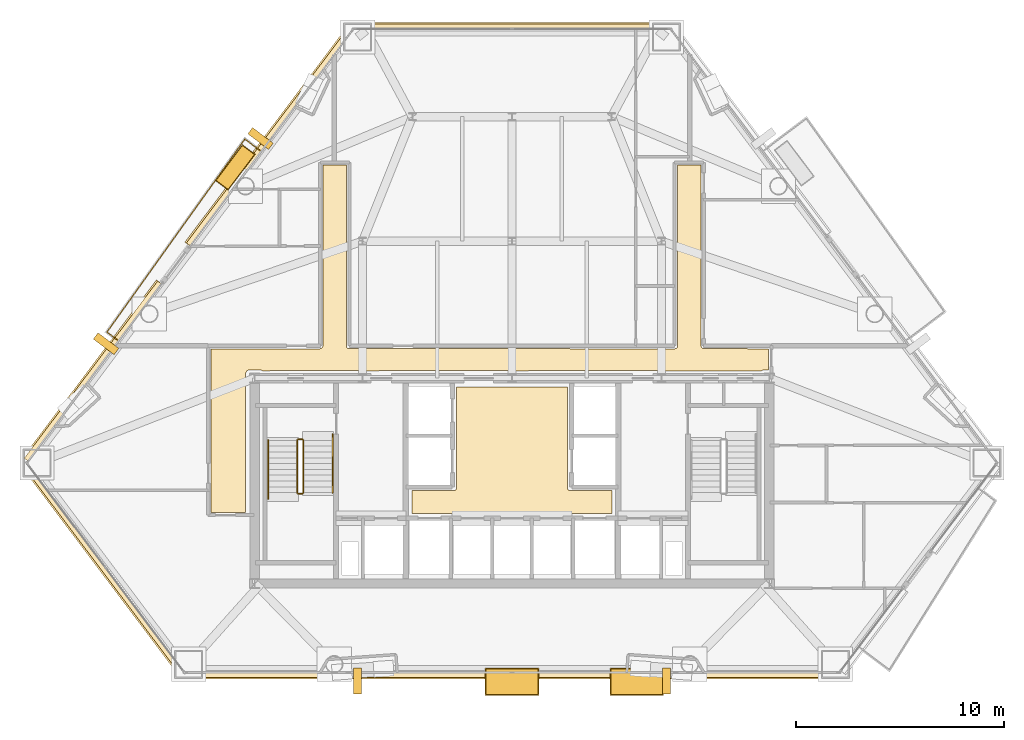
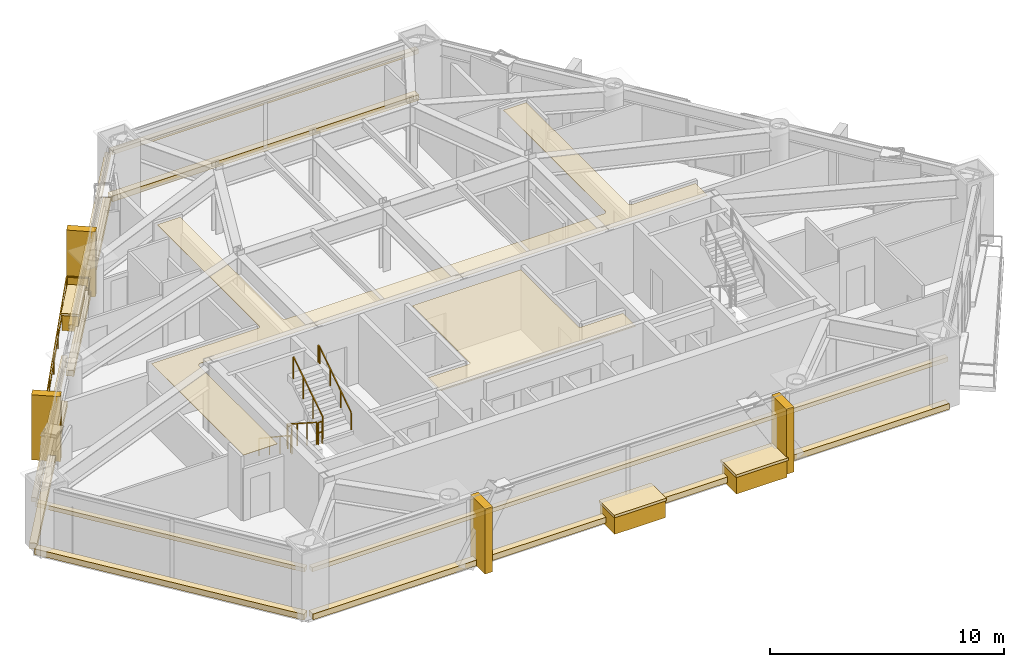
# One storey, part 9 of 10: 22 coverings, 7 railings.
"""IFC4 building model written with IfcOpenShell, lengths in metres."""

from ifc_helpers import new_model, si_unit, direction, frame, origin, origin_2d, place, context, subcontext, project, spatial, polyline, rectangle, outline, extrude, material, layer, layer_set, type_object, element, save


model = new_model("IFC4")

# Units and contexts
model_context = context("Model", 3, precision=1e-05, world=origin(), true_north=direction((0.0, 1.0)))
body_context = subcontext(model_context, "Body", "Model", "MODEL_VIEW")
ifc_project = project(units=[si_unit("LENGTHUNIT", "METRE"), si_unit("AREAUNIT", "SQUARE_METRE"), si_unit("VOLUMEUNIT", "CUBIC_METRE"), si_unit("PLANEANGLEUNIT", "RADIAN"), si_unit("MASSUNIT", "GRAM", prefix="KILO")], contexts=[model_context])

# Site, building, storey
site_placement = place(None, origin())
site = spatial("IfcSite", under=ifc_project, at=site_placement, CompositionType="ELEMENT")
building_placement = place(site_placement, origin())
building = spatial("IfcBuilding", under=site, at=building_placement, Name="Talgorran Terracotta Tower", CompositionType="ELEMENT")
storey_placement = place(building_placement, frame((0.0, 0.0, 64.800048828125)))
storey = spatial("IfcBuildingStorey", under=building, at=storey_placement, Name="L16", CompositionType="ELEMENT", Elevation=64.800048828125)

# Coverings
ifc_material_1 = material(Name="Kiln-Fired Terracotta Ochre Ceramic", Category="masonry")
ifc_layer_1 = layer(ifc_material_1, 0.179931640625, Name="COV_BAGUETTE_TERRACOTTA_SCREEN")
ifc_layer_set_1 = layer_set([ifc_layer_1], Name="Kiln-Fired Terracotta Ochre Ceramic")
covering_type_1 = type_object("IfcCoveringType", Name="COV_BAGUETTE_TERRACOTTA_SCREEN", PredefinedType="CLADDING", material=ifc_layer_set_1)
covering_1_placement = place(storey_placement, frame((-19.662353515625, -13.39892578125, 2.41015625), z_axis=(0.0, 0.0, 1.0), x_axis=(0.601438608227, -0.79891902001, 0.0)))
element("IfcCovering", 1, at=covering_1_placement, inside=storey, type_object=covering_type_1, Name="L16 Terracotta Baguette Solar Screen Assembly F0", PredefinedType="CLADDING", context=body_context, shape_type="SweptSolid", body=[
    extrude(rectangle(XDim=12.5078125, YDim=0.260009765625, at=origin_2d()), origin(), (0.0, 0.0, 1.0), 0.219970703125),
])
covering_2_placement = place(storey_placement, frame((0.0, -18.4912109375, 2.41015625), z_axis=(0.0, 0.0, 1.0), x_axis=(1.0, 0.0, 0.0)))
element("IfcCovering", 2, at=covering_2_placement, inside=storey, type_object=covering_type_1, Name="L16 Terracotta Baguette Solar Screen Assembly F1", PredefinedType="CLADDING", context=body_context, shape_type="SweptSolid", body=[
    extrude(rectangle(XDim=31.418212890625, YDim=0.260009765625, at=origin_2d()), origin(), (0.0, 0.0, 1.0), 0.219970703125),
])
covering_3_placement = place(storey_placement, frame((0.0, 12.7333984375, 2.41015625), z_axis=(0.0, 0.0, 1.0), x_axis=(-1.0, 0.0, 0.0)))
element("IfcCovering", 3, at=covering_3_placement, inside=storey, type_object=covering_type_1, Name="L16 Terracotta Baguette Solar Screen Assembly F4", PredefinedType="CLADDING", context=body_context, shape_type="SweptSolid", body=[
    extrude(rectangle(XDim=15.134521484375, YDim=0.260009765625, at=origin_2d()), origin(), (0.0, 0.0, 1.0), 0.219970703125),
])
covering_4_placement = place(storey_placement, frame((-11.68701171875, 7.419921875, 2.41015625), z_axis=(0.0, 0.0, 1.0), x_axis=(-0.601438608227, -0.79891902001, 0.0)))
element("IfcCovering", 4, at=covering_4_placement, inside=storey, type_object=covering_type_1, Name="L16 Terracotta Baguette Solar Screen Assembly F60", PredefinedType="CLADDING", context=body_context, shape_type="SweptSolid", body=[
    extrude(rectangle(XDim=12.9814453125, YDim=0.260009765625, at=origin_2d()), origin(), (0.0, 0.0, 1.0), 0.219970703125),
])
covering_5_placement = place(storey_placement, frame((-20.18701171875, -3.870849609375, 2.41015625), z_axis=(0.0, 0.0, 1.0), x_axis=(-0.601438608227, -0.79891902001, 0.0)))
element("IfcCovering", 5, at=covering_5_placement, inside=storey, type_object=covering_type_1, Name="L16 Terracotta Baguette Solar Screen Assembly F61", PredefinedType="CLADDING", context=body_context, shape_type="SweptSolid", body=[
    extrude(rectangle(XDim=10.68359375, YDim=0.260009765625, at=origin_2d()), origin(), (0.0, 0.0, 1.0), 0.219970703125),
])
ifc_material_2 = material(Name="Mineral Fibre Acoustic Tile")
ifc_layer_2 = layer(ifc_material_2, 0.02490234375, Name="COV_CEIL_ACOUSTIC")
ifc_layer_set_2 = layer_set([ifc_layer_2], Name="Mineral Fibre Acoustic Tile")
covering_type_2 = type_object("IfcCoveringType", Name="COV_CEIL_ACOUSTIC", PredefinedType="CEILING", material=ifc_layer_set_2)
covering_6_placement = place(storey_placement, frame((0.0, 0.0, 3.260009765625)))
element("IfcCovering", 6, at=covering_6_placement, inside=storey, type_object=covering_type_2, Name="CEIL-L16-2", PredefinedType="CEILING", context=body_context, shape_type="SweptSolid", body=[
    extrude(outline(polyline([(-12.78857421875, -3.87841796875), (-12.79541015625, -3.884521484375), (-12.803466796875, -3.893310546875), (-12.810302734375, -3.90283203125), (-12.81640625, -3.9130859375), (-12.820556640625, -3.920654296875), (-12.82568359375, -3.931396484375), (-12.82958984375, -3.9423828125), (-12.83251953125, -3.953857421875), (-12.833984375, -3.96533203125), (-12.834716796875, -3.97705078125), (-12.8349609375, -10.6650390625), (-14.514892578125, -10.6650390625), (-14.514892578125, -2.784912109375), (-9.25, -2.784912109375), (-9.23828125, -2.784423828125), (-9.226806640625, -2.78271484375), (-9.21533203125, -2.77978515625), (-9.20703125, -2.77734375), (-9.196044921875, -2.7734375), (-9.185302734375, -2.768310546875), (-9.17529296875, -2.762451171875), (-9.165771484375, -2.75537109375), (-9.156982421875, -2.74755859375), (-9.149169921875, -2.73876953125), (-9.1435546875, -2.73193359375), (-9.136474609375, -2.722412109375), (-9.13037109375, -2.71240234375), (-9.125244140625, -2.70166015625), (-9.121337890625, -2.690673828125), (-9.118408203125, -2.67919921875), (-9.11669921875, -2.66748046875), (-9.1162109375, -2.65576171875), (-9.114990234375, 6.06494140625), (-7.985107421875, 6.06494140625), (-7.985107421875, -2.64990234375), (-7.984375, -2.66162109375), (-7.982666015625, -2.67333984375), (-7.97998046875, -2.6845703125), (-7.977294921875, -2.69287109375), (-7.973388671875, -2.7041015625), (-7.968505859375, -2.714599609375), (-7.96240234375, -2.724853515625), (-7.955322265625, -2.734375), (-7.947509765625, -2.742919921875), (-7.938720703125, -2.7509765625), (-7.931884765625, -2.756591796875), (-7.922607421875, -2.763671875), (-7.912353515625, -2.769775390625), (-7.901611328125, -2.774658203125), (-7.890625, -2.77880859375), (-7.879150390625, -2.781494140625), (-7.867431640625, -2.783203125), (-7.855712890625, -2.783935546875), (7.85009765625, -2.784912109375), (7.86181640625, -2.784423828125), (7.873291015625, -2.78271484375), (7.884521484375, -2.77978515625), (7.892822265625, -2.77734375), (7.904052734375, -2.7734375), (7.914794921875, -2.768310546875), (7.9248046875, -2.762451171875), (7.934326171875, -2.75537109375), (7.943115234375, -2.74755859375), (7.950927734375, -2.73876953125), (7.95654296875, -2.73193359375), (7.963623046875, -2.722412109375), (7.9697265625, -2.71240234375), (7.974609375, -2.70166015625), (7.978759765625, -2.690673828125), (7.981689453125, -2.67919921875), (7.9833984375, -2.66748046875), (7.98388671875, -2.65576171875), (7.985107421875, 6.06494140625), (9.114990234375, 6.06494140625), (9.114990234375, -2.64990234375), (9.115478515625, -2.66162109375), (9.1171875, -2.67333984375), (9.1201171875, -2.6845703125), (9.12255859375, -2.69287109375), (9.12646484375, -2.7041015625), (9.131591796875, -2.714599609375), (9.1376953125, -2.724853515625), (9.14453125, -2.734375), (9.152587890625, -2.742919921875), (9.1611328125, -2.7509765625), (9.16796875, -2.756591796875), (9.177490234375, -2.763671875), (9.1875, -2.769775390625), (9.1982421875, -2.774658203125), (9.20947265625, -2.77880859375), (9.220703125, -2.781494140625), (9.232421875, -2.783203125), (9.244384765625, -2.783935546875), (12.364990234375, -2.784912109375), (12.364990234375, -3.80908203125), (12.1201171875, -3.80908203125), (12.108154296875, -3.8095703125), (12.0966796875, -3.811279296875), (12.085205078125, -3.814208984375), (12.07421875, -3.818115234375), (12.0634765625, -3.8232421875), (12.05322265625, -3.8291015625), (12.0439453125, -3.836181640625), (12.03515625, -3.843994140625), (12.034423828125, -3.844970703125), (7.432861328125, -3.844970703125), (6.968017578125, -3.843017578125), (6.967529296875, -3.843017578125), (0.232666015625, -3.844970703125), (-0.23193359375, -3.843017578125), (-0.232421875, -3.843017578125), (-6.96728515625, -3.844970703125), (-7.431884765625, -3.843017578125), (-7.4326171875, -3.843017578125), (-12.034423828125, -3.844970703125), (-12.03515625, -3.843994140625), (-12.0439453125, -3.836181640625), (-12.05322265625, -3.8291015625), (-12.0634765625, -3.8232421875), (-12.07421875, -3.818115234375), (-12.085205078125, -3.814208984375), (-12.0966796875, -3.811279296875), (-12.108154296875, -3.8095703125), (-12.1201171875, -3.80908203125), (-12.679931640625, -3.80908203125), (-12.69189453125, -3.8095703125), (-12.703369140625, -3.811279296875), (-12.71484375, -3.814208984375), (-12.725830078125, -3.818115234375), (-12.736572265625, -3.8232421875), (-12.74658203125, -3.8291015625), (-12.756103515625, -3.836181640625), (-12.764892578125, -3.843994140625), (-12.772705078125, -3.852783203125), (-12.77978515625, -3.8623046875), (-12.785888671875, -3.872314453125), (-12.78857421875, -3.87841796875)])), origin(), (0.0, 0.0, 1.0), 0.02001953125),
])
ifc_material_3 = material(Name="Flush Moisture-Resistant Plaster")
ifc_layer_3 = layer(ifc_material_3, 0.01806640625, Name="COV_CEIL_PLASTER")
ifc_layer_set_3 = layer_set([ifc_layer_3], Name="Flush Moisture-Resistant Plaster")
covering_type_3 = type_object("IfcCoveringType", Name="COV_CEIL_PLASTER", PredefinedType="CEILING", material=ifc_layer_set_3)
covering_7_placement = place(storey_placement, frame((0.0, 0.0, 3.260009765625)))
element("IfcCovering", 7, at=covering_7_placement, inside=storey, type_object=covering_type_3, Name="CEIL-L16-1", PredefinedType="CEILING", context=body_context, shape_type="SweptSolid", body=[
    extrude(outline(polyline([(-4.830078125, -9.6201171875), (-2.800048828125, -9.6201171875), (-2.7880859375, -9.619384765625), (-2.776611328125, -9.61767578125), (-2.76513671875, -9.61474609375), (-2.754150390625, -9.61083984375), (-2.743408203125, -9.605712890625), (-2.7333984375, -9.599853515625), (-2.723876953125, -9.5927734375), (-2.715087890625, -9.5849609375), (-2.707275390625, -9.576171875), (-2.7001953125, -9.566650390625), (-2.694091796875, -9.556640625), (-2.689208984375, -9.5458984375), (-2.685302734375, -9.534912109375), (-2.682373046875, -9.5234375), (-2.6806640625, -9.51171875), (-2.679931640625, -9.5), (-2.679931640625, -4.6201171875), (2.679931640625, -4.6201171875), (2.679931640625, -9.5), (2.6806640625, -9.51171875), (2.682373046875, -9.5234375), (2.685302734375, -9.534912109375), (2.689208984375, -9.5458984375), (2.694091796875, -9.556640625), (2.7001953125, -9.566650390625), (2.707275390625, -9.576171875), (2.715087890625, -9.5849609375), (2.723876953125, -9.5927734375), (2.7333984375, -9.599853515625), (2.743408203125, -9.605712890625), (2.754150390625, -9.61083984375), (2.76513671875, -9.61474609375), (2.776611328125, -9.61767578125), (2.7880859375, -9.619384765625), (2.800048828125, -9.6201171875), (4.830078125, -9.6201171875), (4.830078125, -10.72998046875), (-4.830078125, -10.72998046875), (-4.830078125, -9.6201171875)])), origin(), (0.0, 0.0, 1.0), 0.02001953125),
])
ifc_material_4 = material(Name="Honed Limestone and Terracotta Planter", Category="masonry")
ifc_layer_4 = layer(ifc_material_4, 0.1201171875, Name="COV_PLANTER_BOX")
ifc_layer_set_4 = layer_set([ifc_layer_4], Name="Honed Limestone and Terracotta Planter")
covering_type_4 = type_object("IfcCoveringType", Name="COV_PLANTER_BOX", PredefinedType="CLADDING", material=ifc_layer_set_4)
for number, where, z_axis, x_axis, name in (
    (8, (0.0, -18.8310546875, -0.179931640625), (0.0, 0.0, 1.0), (1.0, 0.0, 0.0), "L16 Staggered South Facade Planter Box 1"),
    (9, (6.018798828125, -18.8310546875, -0.179931640625), (0.0, 0.0, 1.0), (1.0, 0.0, 0.0), "L16 Staggered South Facade Planter Box 2"),
):
    element("IfcCovering", number, at=place(storey_placement, frame(where, z_axis=z_axis, x_axis=x_axis)), inside=storey, type_object=covering_type_4, Name=name, PredefinedType="CLADDING", context=body_context, shape_type="SweptSolid", body=[
        extrude(rectangle(XDim=2.5, YDim=1.25, at=origin_2d()), origin(), (0.0, 0.0, 1.0), 0.919921875),
    ])
covering_8_placement = place(storey_placement, frame((-13.335693359375, 5.953369140625, -0.02001953125), z_axis=(0.0, 0.0, 1.0), x_axis=(-0.601438608227, -0.79891902001, 0.0)))
element("IfcCovering", 10, at=covering_8_placement, inside=storey, type_object=covering_type_4, Name="L16 Staggered Balcony Planter Box BAL-NW", PredefinedType="CLADDING", context=body_context, shape_type="SweptSolid", body=[
    extrude(rectangle(XDim=2.10009765625, YDim=0.719970703125, at=origin_2d()), origin(), (0.0, 0.0, 1.0), 0.860107421875),
])
ifc_material_5 = material(Name="Kiln-Fired Terracotta Planter Rim", Category="masonry")
ifc_layer_5 = layer(ifc_material_5, 0.10009765625, Name="COV_PLANTER_RIM")
ifc_layer_set_5 = layer_set([ifc_layer_5], Name="Kiln-Fired Terracotta Planter Rim")
covering_type_5 = type_object("IfcCoveringType", Name="COV_PLANTER_RIM", PredefinedType="CLADDING", material=ifc_layer_set_5)
for number, where, z_axis, x_axis, name in (
    (11, (0.0, -18.8310546875, 0.7099609375), (0.0, 0.0, 1.0), (1.0, 0.0, 0.0), "L16 South Planter Terracotta Rim 1"),
    (12, (6.018798828125, -18.8310546875, 0.7099609375), (0.0, 0.0, 1.0), (1.0, 0.0, 0.0), "L16 South Planter Terracotta Rim 2"),
):
    element("IfcCovering", number, at=place(storey_placement, frame(where, z_axis=z_axis, x_axis=x_axis)), inside=storey, type_object=covering_type_5, Name=name, PredefinedType="CLADDING", context=body_context, shape_type="SweptSolid", body=[
        extrude(rectangle(XDim=2.580078125, YDim=1.320068359375, at=origin_2d()), origin(), (0.0, 0.0, 1.0), 0.139892578125),
    ])
covering_9_placement = place(storey_placement, frame((-13.335693359375, 5.953369140625, 0.7998046875), z_axis=(0.0, 0.0, 1.0), x_axis=(-0.601438608227, -0.79891902001, 0.0)))
element("IfcCovering", 13, at=covering_9_placement, inside=storey, type_object=covering_type_5, Name="L16 Balcony Planter Terracotta Rim BAL-NW", PredefinedType="CLADDING", context=body_context, shape_type="SweptSolid", body=[
    extrude(rectangle(XDim=2.179931640625, YDim=0.780029296875, at=origin_2d()), origin(), (0.0, 0.0, 1.0), 0.1201171875),
])
ifc_material_6 = material(Name="Honed Limestone Cladding", Category="masonry")
ifc_layer_6 = layer(ifc_material_6, 0.094970703125, Name="COV_PORTAL_LIME")
ifc_layer_set_6 = layer_set([ifc_layer_6], Name="Honed Limestone Cladding")
covering_type_6 = type_object("IfcCoveringType", Name="COV_PORTAL_LIME", PredefinedType="CLADDING", material=ifc_layer_set_6)
covering_10_placement = place(storey_placement, frame((-19.6943359375, -13.423095703125, -0.0400390625), z_axis=(0.0, 0.0, 1.0), x_axis=(0.601438608227, -0.79891902001, 0.0)))
element("IfcCovering", 14, at=covering_10_placement, inside=storey, type_object=covering_type_6, Name="L16 Striped Postmodern Portal Cladding Band F0", PredefinedType="CLADDING", context=body_context, shape_type="SweptSolid", body=[
    extrude(rectangle(XDim=12.52783203125, YDim=0.340087890625, at=origin_2d()), origin(), (0.0, 0.0, 1.0), 0.300048828125),
])
covering_11_placement = place(storey_placement, frame((0.0, -18.531005859375, -0.0400390625), z_axis=(0.0, 0.0, 1.0), x_axis=(1.0, 0.0, 0.0)))
element("IfcCovering", 15, at=covering_11_placement, inside=storey, type_object=covering_type_6, Name="L16 Striped Postmodern Portal Cladding Band F1", PredefinedType="CLADDING", context=body_context, shape_type="SweptSolid", body=[
    extrude(rectangle(XDim=31.438232421875, YDim=0.340087890625, at=origin_2d()), origin(), (0.0, 0.0, 1.0), 0.300048828125),
])
covering_12_placement = place(storey_placement, frame((0.0, 12.773193359375, -0.0400390625), z_axis=(0.0, 0.0, 1.0), x_axis=(-1.0, 0.0, 0.0)))
element("IfcCovering", 16, at=covering_12_placement, inside=storey, type_object=covering_type_6, Name="L16 Striped Postmodern Portal Cladding Band F4", PredefinedType="CLADDING", context=body_context, shape_type="SweptSolid", body=[
    extrude(rectangle(XDim=15.154296875, YDim=0.340087890625, at=origin_2d()), origin(), (0.0, 0.0, 1.0), 0.300048828125),
])
covering_13_placement = place(storey_placement, frame((-11.718994140625, 7.444091796875, -0.0400390625), z_axis=(0.0, 0.0, 1.0), x_axis=(-0.601438608227, -0.79891902001, 0.0)))
element("IfcCovering", 17, at=covering_13_placement, inside=storey, type_object=covering_type_6, Name="L16 Striped Postmodern Portal Cladding Band F60", PredefinedType="CLADDING", context=body_context, shape_type="SweptSolid", body=[
    extrude(rectangle(XDim=13.00146484375, YDim=0.340087890625, at=origin_2d()), origin(), (0.0, 0.0, 1.0), 0.300048828125),
])
covering_14_placement = place(storey_placement, frame((-20.21875, -3.8466796875, -0.0400390625), z_axis=(0.0, 0.0, 1.0), x_axis=(-0.601438608227, -0.79891902001, 0.0)))
element("IfcCovering", 18, at=covering_14_placement, inside=storey, type_object=covering_type_6, Name="L16 Striped Postmodern Portal Cladding Band F61", PredefinedType="CLADDING", context=body_context, shape_type="SweptSolid", body=[
    extrude(rectangle(XDim=10.70361328125, YDim=0.340087890625, at=origin_2d()), origin(), (0.0, 0.0, 1.0), 0.300048828125),
])
for number, where, z_axis, x_axis, name in (
    (19, (7.4443359375, -18.791015625, -0.050048828125), (0.0, 0.0, 1.0), (1.0, 0.0, 0.0), "L16 White Striped Portal Fin F1-2"),
    (20, (-19.5625, -2.54248046875, -0.050048828125), (0.0, 0.0, 1.0), (-0.601438608227, -0.79891902001, 0.0), "L16 White Striped Portal Fin F5-2"),
):
    element("IfcCovering", number, at=place(storey_placement, frame(where, z_axis=z_axis, x_axis=x_axis)), inside=storey, type_object=covering_type_6, Name=name, PredefinedType="CLADDING", context=body_context, shape_type="SweptSolid", body=[
        extrude(rectangle(XDim=0.3798828125, YDim=1.25, at=origin_2d()), origin(), (0.0, 0.0, 1.0), 3.39990234375),
    ])
ifc_material_7 = material(Name="Kiln-Fired Terracotta Cladding", Category="masonry")
ifc_layer_7 = layer(ifc_material_7, 0.090087890625, Name="COV_PORTAL_TERRA")
ifc_layer_set_7 = layer_set([ifc_layer_7], Name="Kiln-Fired Terracotta Cladding")
covering_type_7 = type_object("IfcCoveringType", Name="COV_PORTAL_TERRA", PredefinedType="CLADDING", material=ifc_layer_set_7)
for number, where, z_axis, x_axis, name in (
    (21, (-7.4443359375, -18.791015625, -0.050048828125), (0.0, 0.0, 1.0), (1.0, 0.0, 0.0), "L16 Terracotta Striped Portal Fin F1-1"),
    (22, (-12.1181640625, 7.34619140625, -0.050048828125), (0.0, 0.0, 1.0), (-0.601438608227, -0.79891902001, 0.0), "L16 Terracotta Striped Portal Fin F5-1"),
):
    element("IfcCovering", number, at=place(storey_placement, frame(where, z_axis=z_axis, x_axis=x_axis)), inside=storey, type_object=covering_type_7, Name=name, PredefinedType="CLADDING", context=body_context, shape_type="SweptSolid", body=[
        extrude(rectangle(XDim=0.3798828125, YDim=1.25, at=origin_2d()), origin(), (0.0, 0.0, 1.0), 3.39990234375),
    ])

# Railings
ifc_material_8 = material(Name="Laminated Glass and Stainless Steel 316", Category="steel")
railing_type_1 = type_object("IfcRailingType", Name="RL_BALCONY_1150", PredefinedType="BALUSTRADE", material=ifc_material_8)
railing_1_placement = place(storey_placement, frame((-12.100341796875, 6.738037109375, 0.0)))
element("IfcRailing", 23, at=railing_1_placement, inside=storey, type_object=railing_type_1, Name="RL-L16-BAL-BAL-NW", PredefinedType="BALUSTRADE", context=body_context, shape_type="SweptSolid", body=[
    extrude(rectangle(XDim=0.048095703125, YDim=0.048095703125, at=origin_2d()), frame((0.0, 0.0, 1.1259765625), z_axis=(-0.798847945793, 0.601533007824, 0.0), x_axis=(-0.601533007824, -0.798847945793, 0.0)), (0.0, 0.0, 1.0), 0.967529296875),
    extrude(rectangle(XDim=0.048095703125, YDim=0.048095703125, at=origin_2d()), frame((0.0, 0.0, 0.597900390625), z_axis=(-0.798847945793, 0.601533007824, 0.0), x_axis=(-0.601533007824, -0.798847945793, 0.0)), (0.0, 0.0, 1.0), 0.967529296875),
    extrude(rectangle(XDim=0.048095703125, YDim=0.048095703125, at=origin_2d()), frame((-0.77294921875, 0.58203125, 1.1259765625), z_axis=(-0.581484646418, -0.81355737719, 0.0), x_axis=(0.81355737719, -0.581484646418, 0.0)), (0.0, 0.0, 1.0), 11.43115234375),
    extrude(rectangle(XDim=0.048095703125, YDim=0.048095703125, at=origin_2d()), frame((-0.77294921875, 0.58203125, 0.597900390625), z_axis=(-0.581484646418, -0.81355737719, 0.0), x_axis=(0.81355737719, -0.581484646418, 0.0)), (0.0, 0.0, 1.0), 11.43115234375),
    extrude(rectangle(XDim=0.048095703125, YDim=0.048095703125, at=origin_2d()), frame((-7.419921875, -8.7177734375, 1.1259765625), z_axis=(0.798929212019, -0.601425069467, 0.0), x_axis=(0.601425069467, 0.798929212019, 0.0)), (0.0, 0.0, 1.0), 0.684814453125),
    extrude(rectangle(XDim=0.048095703125, YDim=0.048095703125, at=origin_2d()), frame((-7.419921875, -8.7177734375, 0.597900390625), z_axis=(0.798929212019, -0.601425069467, 0.0), x_axis=(0.601425069467, 0.798929212019, 0.0)), (0.0, 0.0, 1.0), 0.684814453125),
    extrude(rectangle(XDim=0.0419921875, YDim=0.0419921875, at=origin_2d()), origin(), (0.0, 0.0, 1.0), 1.101806640625),
    extrude(rectangle(XDim=0.0419921875, YDim=0.0419921875, at=origin_2d()), frame((-0.77294921875, 0.58203125, 0.0)), (0.0, 0.0, 1.0), 1.101806640625),
    extrude(rectangle(XDim=0.0419921875, YDim=0.0419921875, at=origin_2d()), frame((-1.880859375, -0.968017578125, 0.0)), (0.0, 0.0, 1.0), 1.101806640625),
    extrude(rectangle(XDim=0.0419921875, YDim=0.0419921875, at=origin_2d()), frame((-2.988525390625, -2.517822265625, 0.0)), (0.0, 0.0, 1.0), 1.101806640625),
    extrude(rectangle(XDim=0.0419921875, YDim=0.0419921875, at=origin_2d()), frame((-4.096435546875, -4.06787109375, 0.0)), (0.0, 0.0, 1.0), 1.101806640625),
    extrude(rectangle(XDim=0.0419921875, YDim=0.0419921875, at=origin_2d()), frame((-5.204345703125, -5.617919921875, 0.0)), (0.0, 0.0, 1.0), 1.101806640625),
    extrude(rectangle(XDim=0.0419921875, YDim=0.0419921875, at=origin_2d()), frame((-6.31201171875, -7.167724609375, 0.0)), (0.0, 0.0, 1.0), 1.101806640625),
    extrude(rectangle(XDim=0.0419921875, YDim=0.0419921875, at=origin_2d()), frame((-7.419921875, -8.7177734375, 0.0)), (0.0, 0.0, 1.0), 1.101806640625),
    extrude(rectangle(XDim=0.0419921875, YDim=0.0419921875, at=origin_2d()), frame((-6.872802734375, -9.129638671875, 0.0)), (0.0, 0.0, 1.0), 1.101806640625),
])
ifc_material_9 = material(Name="Steel S355 (300PLUS)", Category="steel")
railing_type_2 = type_object("IfcRailingType", Name="RL_HANDRAIL_920", PredefinedType="HANDRAIL", material=ifc_material_9)
railing_2_placement = place(storey_placement, frame((-11.75, -7.199951171875, 0.179931640625)))
element("IfcRailing", 24, at=railing_2_placement, inside=storey, type_object=railing_type_2, Name="L16 ST-01 stair handrail 1", PredefinedType="HANDRAIL", context=body_context, shape_type="SweptSolid", body=[
    extrude(rectangle(XDim=0.048095703125, YDim=0.048095703125, at=origin_2d()), frame((0.0, 0.0, 0.89599609375), z_axis=(0.0, -0.832038719335, 0.554717558338), x_axis=(1.0, 0.0, 0.0)), (0.0, 0.0, 1.0), 3.244873046875),
    extrude(rectangle(XDim=0.048095703125, YDim=0.048095703125, at=origin_2d()), frame((0.0, -2.699951171875, 2.69580078125), z_axis=(0.0, -1.0, 0.0), x_axis=(1.0, 0.0, 0.0)), (0.0, 0.0, 1.0), 0.1201171875),
    extrude(rectangle(XDim=0.0419921875, YDim=0.0419921875, at=origin_2d()), origin(), (0.0, 0.0, 1.0), 0.871826171875),
    extrude(rectangle(XDim=0.0419921875, YDim=0.0419921875, at=origin_2d()), frame((0.0, -0.89990234375, 0.60009765625)), (0.0, 0.0, 1.0), 0.871826171875),
    extrude(rectangle(XDim=0.0419921875, YDim=0.0419921875, at=origin_2d()), frame((0.0, -1.800048828125, 1.199951171875)), (0.0, 0.0, 1.0), 0.871826171875),
    extrude(rectangle(XDim=0.0419921875, YDim=0.0419921875, at=origin_2d()), frame((0.0, -2.699951171875, 1.800048828125)), (0.0, 0.0, 1.0), 0.871826171875),
    extrude(rectangle(XDim=0.0419921875, YDim=0.0419921875, at=origin_2d()), frame((0.0, -2.820068359375, 1.800048828125)), (0.0, 0.0, 1.0), 0.871826171875),
])
railing_3_placement = place(storey_placement, frame((-8.64990234375, -9.719970703125, 1.97998046875)))
element("IfcRailing", 25, at=railing_3_placement, inside=storey, type_object=railing_type_2, Name="L16 ST-01 stair handrail 2", PredefinedType="HANDRAIL", context=body_context, shape_type="SweptSolid", body=[
    extrude(rectangle(XDim=0.048095703125, YDim=0.048095703125, at=origin_2d()), frame((0.0, 0.0, 0.89599609375), z_axis=(0.0, 0.832038719335, 0.554717558338), x_axis=(-1.0, 0.0, 0.0)), (0.0, 0.0, 1.0), 3.244873046875),
    extrude(rectangle(XDim=0.048095703125, YDim=0.048095703125, at=origin_2d()), frame((0.0, 2.699951171875, 2.69580078125), z_axis=(0.0, 1.0, 0.0), x_axis=(-1.0, 0.0, 0.0)), (0.0, 0.0, 1.0), 0.1201171875),
    extrude(rectangle(XDim=0.0419921875, YDim=0.0419921875, at=origin_2d()), origin(), (0.0, 0.0, 1.0), 0.871826171875),
    extrude(rectangle(XDim=0.0419921875, YDim=0.0419921875, at=origin_2d()), frame((0.0, 0.89990234375, 0.60009765625)), (0.0, 0.0, 1.0), 0.871826171875),
    extrude(rectangle(XDim=0.0419921875, YDim=0.0419921875, at=origin_2d()), frame((0.0, 1.800048828125, 1.199951171875)), (0.0, 0.0, 1.0), 0.871826171875),
    extrude(rectangle(XDim=0.0419921875, YDim=0.0419921875, at=origin_2d()), frame((0.0, 2.699951171875, 1.800048828125)), (0.0, 0.0, 1.0), 0.871826171875),
    extrude(rectangle(XDim=0.0419921875, YDim=0.0419921875, at=origin_2d()), frame((0.0, 2.820068359375, 1.800048828125)), (0.0, 0.0, 1.0), 0.871826171875),
])
railing_type_3 = type_object("IfcRailingType", Name="RL_STAIR_GUARD", PredefinedType="GUARDRAIL", material=ifc_material_9)
railing_4_placement = place(storey_placement, frame((-10.35009765625, -7.199951171875, 0.179931640625)))
element("IfcRailing", 26, at=railing_4_placement, inside=storey, type_object=railing_type_3, Name="L16 ST-01 stair guard 1", PredefinedType="GUARDRAIL", context=body_context, shape_type="SweptSolid", body=[
    extrude(rectangle(XDim=0.048095703125, YDim=0.048095703125, at=origin_2d()), frame((0.0, 0.0, 1.15576171875), z_axis=(0.0, -0.841162588446, 0.540782303519), x_axis=(1.0, 0.0, 0.0)), (0.0, 0.0, 1.0), 2.995849609375),
    extrude(rectangle(XDim=0.0419921875, YDim=0.0419921875, at=origin_2d()), origin(), (0.0, 0.0, 1.0), 1.1318359375),
    extrude(rectangle(XDim=0.0419921875, YDim=0.0419921875, at=origin_2d()), frame((0.0, -0.840087890625, 0.5400390625)), (0.0, 0.0, 1.0), 1.1318359375),
    extrude(rectangle(XDim=0.0419921875, YDim=0.0419921875, at=origin_2d()), frame((0.0, -1.679931640625, 1.080078125)), (0.0, 0.0, 1.0), 1.1318359375),
    extrude(rectangle(XDim=0.0419921875, YDim=0.0419921875, at=origin_2d()), frame((0.0, -2.52001953125, 1.6201171875)), (0.0, 0.0, 1.0), 1.1318359375),
])
railing_5_placement = place(storey_placement, frame((-10.300048828125, -9.77001953125, 1.800048828125)))
element("IfcRailing", 27, at=railing_5_placement, inside=storey, type_object=railing_type_3, Name="L16 ST-01 stair guard 2", PredefinedType="GUARDRAIL", context=body_context, shape_type="SweptSolid", body=[
    extrude(rectangle(XDim=0.048095703125, YDim=0.048095703125, at=origin_2d()), frame((0.0, 0.0, 1.15576171875), z_axis=(1.0, 0.0, 0.0), x_axis=(0.0, 1.0, 0.0)), (0.0, 0.0, 1.0), 0.199951171875),
    extrude(rectangle(XDim=0.048095703125, YDim=0.048095703125, at=origin_2d()), frame((0.0, 0.0, 0.613525390625), z_axis=(1.0, 0.0, 0.0), x_axis=(0.0, 1.0, 0.0)), (0.0, 0.0, 1.0), 0.199951171875),
    extrude(rectangle(XDim=0.0419921875, YDim=0.0419921875, at=origin_2d()), origin(), (0.0, 0.0, 1.0), 1.1318359375),
    extrude(rectangle(XDim=0.0419921875, YDim=0.0419921875, at=origin_2d()), frame((0.199951171875, 0.0, 0.0)), (0.0, 0.0, 1.0), 1.1318359375),
])
railing_6_placement = place(storey_placement, frame((-10.050048828125, -9.719970703125, 1.97998046875)))
element("IfcRailing", 28, at=railing_6_placement, inside=storey, type_object=railing_type_3, Name="L16 ST-01 stair guard 3", PredefinedType="GUARDRAIL", context=body_context, shape_type="SweptSolid", body=[
    extrude(rectangle(XDim=0.048095703125, YDim=0.048095703125, at=origin_2d()), frame((0.0, 0.0, 1.15576171875), z_axis=(0.0, 0.841199657755, 0.540724639528), x_axis=(-1.0, 0.0, 0.0)), (0.0, 0.0, 1.0), 2.995849609375),
    extrude(rectangle(XDim=0.0419921875, YDim=0.0419921875, at=origin_2d()), origin(), (0.0, 0.0, 1.0), 1.1318359375),
    extrude(rectangle(XDim=0.0419921875, YDim=0.0419921875, at=origin_2d()), frame((0.0, 0.840087890625, 0.5400390625)), (0.0, 0.0, 1.0), 1.1318359375),
    extrude(rectangle(XDim=0.0419921875, YDim=0.0419921875, at=origin_2d()), frame((0.0, 1.679931640625, 1.079833984375)), (0.0, 0.0, 1.0), 1.1318359375),
    extrude(rectangle(XDim=0.0419921875, YDim=0.0419921875, at=origin_2d()), frame((0.0, 2.52001953125, 1.619873046875)), (0.0, 0.0, 1.0), 1.1318359375),
])
railing_7_placement = place(storey_placement, frame((-10.300048828125, -7.14990234375, 0.0)))
element("IfcRailing", 29, at=railing_7_placement, inside=storey, type_object=railing_type_3, Name="L16 ST-01 stair guard 4", PredefinedType="GUARDRAIL", context=body_context, shape_type="SweptSolid", body=[
    extrude(rectangle(XDim=0.048095703125, YDim=0.048095703125, at=origin_2d()), frame((0.0, 0.0, 1.15576171875), z_axis=(1.0, 0.0, 0.0), x_axis=(0.0, 1.0, 0.0)), (0.0, 0.0, 1.0), 0.199951171875),
    extrude(rectangle(XDim=0.048095703125, YDim=0.048095703125, at=origin_2d()), frame((0.0, 0.0, 0.613525390625), z_axis=(1.0, 0.0, 0.0), x_axis=(0.0, 1.0, 0.0)), (0.0, 0.0, 1.0), 0.199951171875),
    extrude(rectangle(XDim=0.0419921875, YDim=0.0419921875, at=origin_2d()), origin(), (0.0, 0.0, 1.0), 1.1318359375),
    extrude(rectangle(XDim=0.0419921875, YDim=0.0419921875, at=origin_2d()), frame((0.199951171875, 0.0, 0.0)), (0.0, 0.0, 1.0), 1.1318359375),
])

save(model, "model.ifc")
